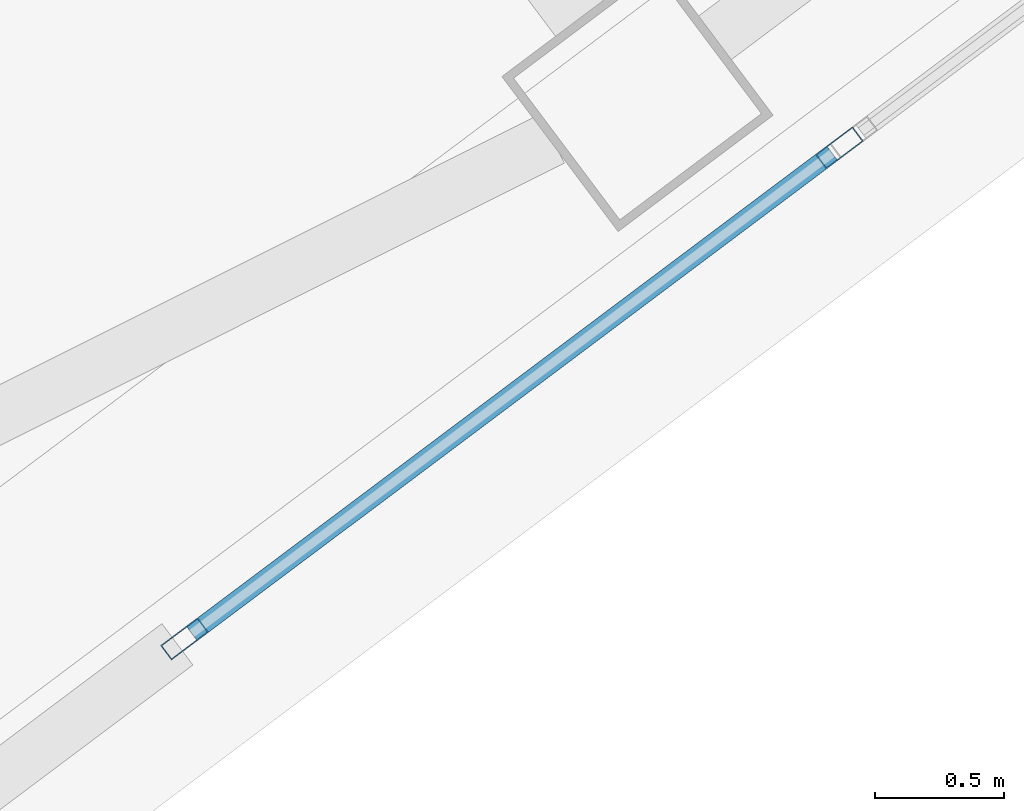
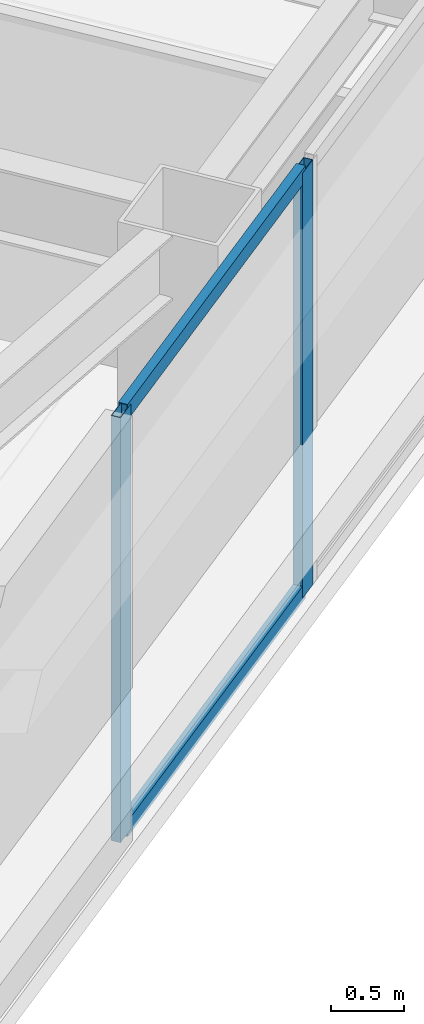
# One storey, part 19 of 42: 4 members, 1 element without a shape of its own.
"""IFC4 building model written with IfcOpenShell, lengths in metres."""

from ifc_helpers import new_model, si_unit, direction, frame, origin, origin_2d, place, context, subcontext, project, spatial, hollow_rectangle, extrude, material, material_profile, profile_set, type_object, element, aggregate, save


model = new_model("IFC4")

# Units and contexts
model_context = context("Model", 3, precision=1e-05, world=origin(), true_north=direction((0.0, 1.0)))
body_context = subcontext(model_context, "Body", "Model", "MODEL_VIEW")
ifc_project = project(units=[si_unit("LENGTHUNIT", "METRE"), si_unit("AREAUNIT", "SQUARE_METRE"), si_unit("VOLUMEUNIT", "CUBIC_METRE"), si_unit("PLANEANGLEUNIT", "RADIAN"), si_unit("MASSUNIT", "GRAM", prefix="KILO")], contexts=[model_context])

# Site, building, storey
site_placement = place(None, origin())
site = spatial("IfcSite", under=ifc_project, at=site_placement, CompositionType="ELEMENT")
building_placement = place(site_placement, origin())
building = spatial("IfcBuilding", under=site, at=building_placement, Name="Tashvorn Skyway Center", CompositionType="ELEMENT")
storey_placement = place(building_placement, frame((0.0, 0.0, 164.10009765625)))
storey = spatial("IfcBuildingStorey", under=building, at=storey_placement, Name="L44", CompositionType="ELEMENT", Elevation=164.10009765625)

# Curtain wall, members
ifc_material = material(Name="Thermally broken bronze-anodized aluminium 6063-T6", Category="aluminium")
curtain_wall_type = type_object("IfcCurtainWallType", Name="CW-CW-Z4", PredefinedType="NOTDEFINED", material=ifc_material)
curtain_wall_placement = place(storey_placement, origin())
curtain_wall = element("IfcCurtainWall", 1, at=curtain_wall_placement, inside=storey, type_object=curtain_wall_type, Name="Tower 2 L44 South Unitised Curtain Wall Glazing Group 3", PredefinedType="NOTDEFINED")
ifc_material_profile_1 = material_profile(ifc_material, hollow_rectangle(XDim=0.070068359375, YDim=0.179931640625, WallThickness=0.00390625, at=origin_2d()), Name="ALU-MULL-70x180")
ifc_profile_set_1 = profile_set([ifc_material_profile_1], Name="Thermally broken bronze-anodized aluminium 6063-T6")
member_type_1 = type_object("IfcMemberType", Name="CWM-CW-Z4", PredefinedType="MULLION", material=ifc_profile_set_1)
member_1_placement = place(storey_placement, frame((120.152099609375, 15.638916015625, 0.0), z_axis=(0.0, 0.0, 1.0), x_axis=(0.600000000002, -0.799999999998, 0.0)))
member_1 = element("IfcMember", 2, at=member_1_placement, type_object=member_type_1, Name="CW-Z4 mullion 1", PredefinedType="MULLION", context=body_context, shape_type="SweptSolid", body=[
    extrude(hollow_rectangle(XDim=0.070068359375, YDim=0.179931640625, WallThickness=0.00390625, at=origin_2d()), origin(), (0.0, 0.0, 1.0), 3.5498046875),
])
member_2_placement = place(storey_placement, frame((117.615966796875, 13.737060546875, 0.0), z_axis=(0.0, 0.0, 1.0), x_axis=(0.600000000002, -0.799999999998, 0.0)))
member_2 = element("IfcMember", 3, at=member_2_placement, type_object=member_type_1, Name="CW-Z4 mullion 2", PredefinedType="MULLION", context=body_context, shape_type="SweptSolid", body=[
    extrude(hollow_rectangle(XDim=0.070068359375, YDim=0.179931640625, WallThickness=0.00390625, at=origin_2d()), origin(), (0.0, 0.0, 1.0), 3.5498046875),
])
ifc_material_profile_2 = material_profile(ifc_material, hollow_rectangle(XDim=0.070068359375, YDim=0.1298828125, WallThickness=0.00390625, at=origin_2d()), Name="ALU-TRAN-70x130")
ifc_profile_set_2 = profile_set([ifc_material_profile_2], Name="Thermally broken bronze-anodized aluminium 6063-T6")
member_type_2 = type_object("IfcMemberType", Name="CWT-CW-Z4", PredefinedType="USERDEFINED", material=ifc_profile_set_2)
member_3_placement = place(storey_placement, frame((120.1240234375, 15.617919921875, 0.034912109375), z_axis=(-0.800018901408, -0.599974797295, 0.0), x_axis=(0.599974797295, -0.800018901408, 0.0)))
member_3 = element("IfcMember", 4, at=member_3_placement, type_object=member_type_2, Name="CW-Z4 transom 1.1", ObjectType="TRANSOM", PredefinedType="USERDEFINED", context=body_context, shape_type="SweptSolid", body=[
    extrude(hollow_rectangle(XDim=0.070068359375, YDim=0.1298828125, WallThickness=0.00390625, at=origin_2d()), origin(), (0.0, 0.0, 1.0), 3.099853515625),
])
member_4_placement = place(storey_placement, frame((120.1240234375, 15.617919921875, 3.514892578125), z_axis=(-0.800018901408, -0.599974797295, 0.0), x_axis=(0.599974797295, -0.800018901408, 0.0)))
member_4 = element("IfcMember", 5, at=member_4_placement, type_object=member_type_2, Name="CW-Z4 transom 1.2", ObjectType="TRANSOM", PredefinedType="USERDEFINED", context=body_context, shape_type="SweptSolid", body=[
    extrude(hollow_rectangle(XDim=0.070068359375, YDim=0.1298828125, WallThickness=0.00390625, at=origin_2d()), origin(), (0.0, 0.0, 1.0), 3.099853515625),
])
aggregate(curtain_wall, [member_1, member_2, member_3, member_4])

save(model, "model.ifc")
